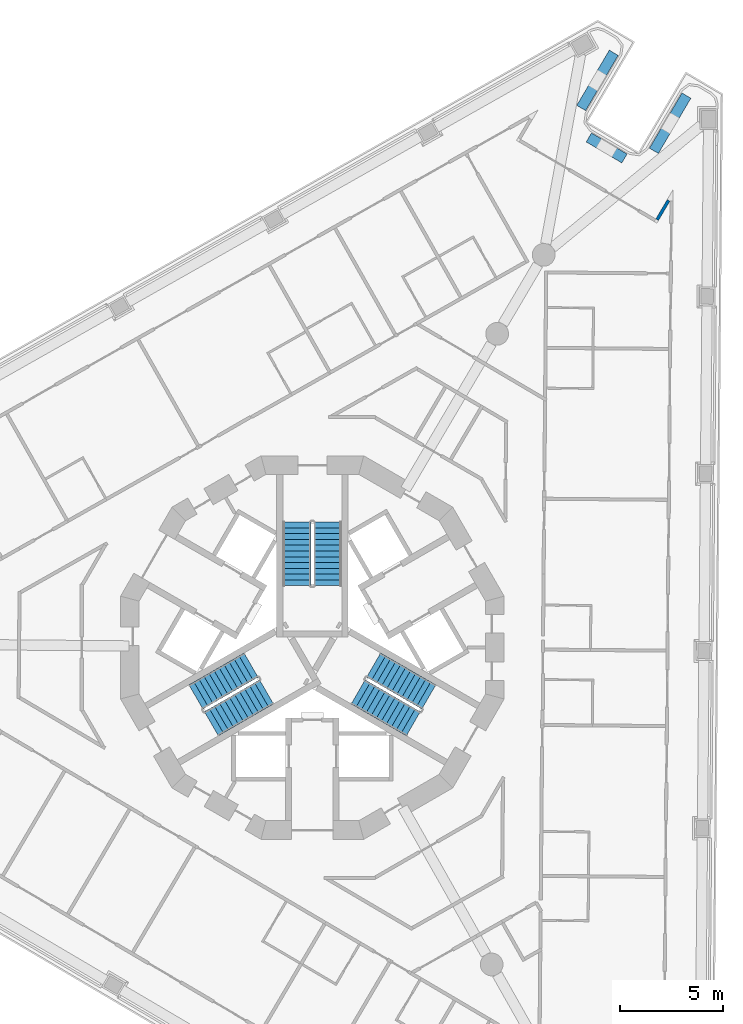
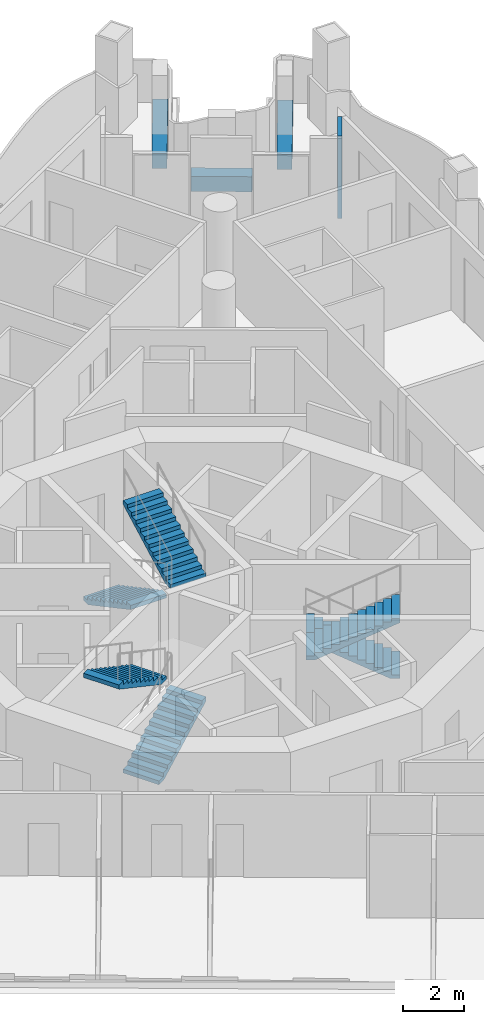
# One storey, part 10 of 17: 6 stair flights, 4 walls, 3 elements without a shape of their own.
"""IFC4 building model written with IfcOpenShell, lengths in metres."""

import ifcopenshell
import ifcopenshell.guid

model = None  # the IFC model being written
_history = None  # IfcOwnerHistory: only IFC2X3 demands one
_inside = {}  # id of a spatial element -> (the spatial element, [elements in it])
_under = {}  # id of a project, library or spatial element -> (it, [spatial elements below it])
_declared = {}  # id of a project -> (the project, [libraries it declares])
_typed = {}  # id of a type object -> (the type object, [elements of that type])
_made_of = {}  # id of a material, layer set ... -> (it, [elements and type objects made of it])


def new_model(schema):
    """Start an empty IFC model of exactly this schema.

    Asked for "IFC4X3", IfcOpenShell would pick the latest addendum, in which some entities
    have other attributes; the version numbers below select the first issue.
    IFC2X3 requires an IfcOwnerHistory on every rooted entity: one is made here for all.
    """
    global model, _history
    if schema == "IFC4X3":
        model = ifcopenshell.file(schema_version=(4, 3, 0, 0))
    else:
        model = ifcopenshell.file(schema=schema)
    _inside.clear()
    _under.clear()
    _declared.clear()
    _typed.clear()
    _made_of.clear()
    _history = None
    if model.schema == "IFC2X3":
        org = make("IfcOrganization", Name="unknown")
        user = make(
            "IfcPersonAndOrganization",
            ThePerson=make("IfcPerson", FamilyName="unknown"),
            TheOrganization=org,
        )
        app = make(
            "IfcApplication",
            ApplicationDeveloper=org,
            Version="unknown",
            ApplicationFullName="unknown",
            ApplicationIdentifier="unknown",
        )
        _history = make(
            "IfcOwnerHistory",
            OwningUser=user,
            OwningApplication=app,
            ChangeAction="ADDED",
            CreationDate=0,
        )
    return model


def make(cls, **values):
    """One entity of the class cls with the attributes given. An attribute that is None is left unset."""
    return model.create_entity(
        cls, **{name: value for name, value in values.items() if value is not None}
    )


def rooted(cls, **values):
    """An entity with a GlobalId (a new one), such as an element, a storey or a relation."""
    return make(cls, GlobalId=ifcopenshell.guid.new(), OwnerHistory=_history, **values)


def si_unit(unit_type, name, prefix=None):
    """IfcSIUnit, for example si_unit("LENGTHUNIT", "METRE", prefix="MILLI")."""
    return make("IfcSIUnit", UnitType=unit_type, Prefix=prefix, Name=name)


def assignment(units):
    """IfcUnitAssignment: the units of a project."""
    return None if units is None else make("IfcUnitAssignment", Units=units)


def point(xyz):
    """IfcCartesianPoint."""
    return None if xyz is None else make("IfcCartesianPoint", Coordinates=xyz)


def direction(xyz):
    """IfcDirection."""
    return None if xyz is None else make("IfcDirection", DirectionRatios=xyz)


def frame(location, z_axis=None, x_axis=None):
    """IfcAxis2Placement3D, a coordinate frame: its origin and axes. An axis left out is left unset."""
    return make(
        "IfcAxis2Placement3D",
        Location=point(location),
        Axis=direction(z_axis),
        RefDirection=direction(x_axis),
    )


def frame_2d(location, x_axis=None):
    """IfcAxis2Placement2D, a coordinate frame in the plane: its origin and x axis."""
    return make(
        "IfcAxis2Placement2D", Location=point(location), RefDirection=direction(x_axis)
    )


def origin():
    """The frame at (0, 0, 0) with its axes left unset."""
    return frame((0.0, 0.0, 0.0))


def place(relative_to, where):
    """IfcLocalPlacement: puts the frame where relative to a parent placement (None: the world)."""
    return make(
        "IfcLocalPlacement", PlacementRelTo=relative_to, RelativePlacement=where
    )


def context(
    kind, dimensions, precision=None, world=None, true_north=None, identifier=None
):
    """IfcGeometricRepresentationContext, for example the 3D "Model" context."""
    return make(
        "IfcGeometricRepresentationContext",
        ContextIdentifier=identifier,
        ContextType=kind,
        CoordinateSpaceDimension=dimensions,
        Precision=precision,
        WorldCoordinateSystem=world,
        TrueNorth=true_north,
    )


def subcontext(parent, identifier, kind, view, scale=None):
    """IfcGeometricRepresentationSubContext, for example "Body" below "Model"."""
    return make(
        "IfcGeometricRepresentationSubContext",
        ContextIdentifier=identifier,
        ContextType=kind,
        ParentContext=parent,
        TargetScale=scale,
        TargetView=view,
    )


def project(units=None, contexts=None):
    """IfcProject with its units and contexts."""
    return rooted(
        "IfcProject",
        Name="project",
        RepresentationContexts=contexts,
        UnitsInContext=assignment(units),
    )


def spatial(cls, under=None, at=None, **own):
    """A site, building, storey or space (cls), placed at a placement, below another one or the project."""
    s = rooted(cls, ObjectPlacement=at, **own)
    if under is not None:
        _under.setdefault(under.id(), (under, []))[1].append(s)
    return s


def polyline(points):
    """IfcPolyline through the points."""
    return make("IfcPolyline", Points=[point(p) for p in points])


def profile(cls, at=None, kind="AREA", **sizes):
    """A parametric profile (cls). Its sizes go by their IFC names, for example OverallWidth=200.0."""
    return make(cls, ProfileType=kind, Position=at, **sizes)


def rectangle(**sizes):
    """IfcRectangleProfileDef."""
    return profile("IfcRectangleProfileDef", **sizes)


def outline(outer, holes=None, kind="AREA"):
    """IfcArbitraryClosedProfileDef: a profile drawn as a closed curve; with holes, ...WithVoids."""
    if holes is None:
        return make("IfcArbitraryClosedProfileDef", ProfileType=kind, OuterCurve=outer)
    return make(
        "IfcArbitraryProfileDefWithVoids",
        ProfileType=kind,
        OuterCurve=outer,
        InnerCurves=holes,
    )


def extrude(swept, where, along, depth):
    """IfcExtrudedAreaSolid: the profile swept, set in the frame where, extruded along a direction by depth."""
    return make(
        "IfcExtrudedAreaSolid",
        SweptArea=swept,
        Position=where,
        ExtrudedDirection=direction(along),
        Depth=depth,
    )


def shape(context_of_items, identifier, shape_type, items):
    """IfcShapeRepresentation: the items that make up one representation, for example the "Body"."""
    return make(
        "IfcShapeRepresentation",
        ContextOfItems=context_of_items,
        RepresentationIdentifier=identifier,
        RepresentationType=shape_type,
        Items=items,
    )


def material(Name=None, Category=None):
    """IfcMaterial."""
    return make("IfcMaterial", Name=Name, Category=Category)


def layer(
    of_material, thickness, ventilated=None, Name=None, Category=None, Priority=None
):
    """IfcMaterialLayer: one layer of a wall or slab, of a material (None: an air gap)."""
    return make(
        "IfcMaterialLayer",
        Material=of_material,
        LayerThickness=thickness,
        IsVentilated=ventilated,
        Name=Name,
        Category=Category,
        Priority=Priority,
    )


def layer_set(layers, Name=None):
    """IfcMaterialLayerSet."""
    return make("IfcMaterialLayerSet", MaterialLayers=layers, LayerSetName=Name)


def made_of(thing, what):
    """Note that an element or type object is made of a material, layer set ...; save() writes the relation."""
    if what is not None:
        _made_of.setdefault(what.id(), (what, []))[1].append(thing)
    return thing


def type_object(cls, material=None, **own):
    """A type object (cls), such as IfcWallType, which elements share."""
    return made_of(rooted(cls, **own), material)


def element(
    cls,
    number,
    at=None,
    inside=None,
    cuts=None,
    type_object=None,
    material=None,
    context=None,
    identifier="Body",
    shape_type=None,
    held_by="IfcProductDefinitionShape",
    body=None,
    shapes=None,
    **own,
):
    """One element of the class cls, such as IfcWall. Its Tag is "e" and its number.

    at: its placement. inside: the storey or other place that contains it. cuts: it is an
    opening in that element (IfcRelVoidsElement). A single representation is given by context,
    identifier, shape_type and body (its items); several are given by shapes. held_by: the class
    of the entity that holds the representations. save() writes the other relations.
    """
    e = rooted(cls, Tag="e%d" % number, ObjectPlacement=at, **own)
    if body is not None:
        shapes = [shape(context, identifier, shape_type, body)]
    if shapes is not None:
        e.Representation = make(held_by, Representations=shapes)
    if inside is not None:
        _inside.setdefault(inside.id(), (inside, []))[1].append(e)
    if cuts is not None:
        rooted(
            "IfcRelVoidsElement", RelatingBuildingElement=cuts, RelatedOpeningElement=e
        )
    if type_object is not None:
        _typed.setdefault(type_object.id(), (type_object, []))[1].append(e)
    return made_of(e, material)


def aggregate(whole, parts):
    """IfcRelAggregates: a whole, such as a stair, and the parts it consists of."""
    return rooted("IfcRelAggregates", RelatingObject=whole, RelatedObjects=parts)


def save(model, path):
    """Write the relations noted so far, then the file.

    IfcRelAggregates (storeys below a building ...), IfcRelContainedInSpatialStructure (elements
    in a storey), IfcRelDefinesByType, IfcRelAssociatesMaterial and IfcRelDeclares: one each for
    every whole, place, type object, material and project.
    """
    for whole, parts in _under.values():
        aggregate(whole, parts)
    for where, things in _inside.values():
        rooted(
            "IfcRelContainedInSpatialStructure",
            RelatedElements=things,
            RelatingStructure=where,
        )
    for kind, things in _typed.values():
        rooted("IfcRelDefinesByType", RelatedObjects=things, RelatingType=kind)
    for what, things in _made_of.values():
        rooted("IfcRelAssociatesMaterial", RelatedObjects=things, RelatingMaterial=what)
    for by, libraries in _declared.values():
        rooted("IfcRelDeclares", RelatingContext=by, RelatedDefinitions=libraries)
    model.write(path)


model = new_model("IFC4")

# Units and contexts
model_context = context("Model", 3, precision=1e-05, world=origin(), true_north=direction((0.0, 1.0)))
body_context = subcontext(model_context, "Body", "Model", "MODEL_VIEW")
ifc_project = project(units=[si_unit("LENGTHUNIT", "METRE"), si_unit("AREAUNIT", "SQUARE_METRE"), si_unit("VOLUMEUNIT", "CUBIC_METRE"), si_unit("PLANEANGLEUNIT", "RADIAN"), si_unit("MASSUNIT", "GRAM", prefix="KILO")], contexts=[model_context])

# Site, building, storey
site_placement = place(None, origin())
site = spatial("IfcSite", under=ifc_project, at=site_placement, CompositionType="ELEMENT")
building_placement = place(site_placement, origin())
building = spatial("IfcBuilding", under=site, at=building_placement, Name="Trine Commons Tower", CompositionType="ELEMENT")
storey_placement = place(building_placement, frame((0.0, 0.0, 182.699951171875)))
storey = spatial("IfcBuildingStorey", under=building, at=storey_placement, Name="L47", CompositionType="ELEMENT", Elevation=182.699951171875)

# Walls
ifc_material_1 = material(Name="Aluminium-framed insulated wall panel", Category="aluminium")
ifc_layer_1 = layer(ifc_material_1, 0.14990234375)
ifc_layer_set_1 = layer_set([ifc_layer_1], Name="Aluminium-framed insulated wall panel")
wall_type_1 = type_object("IfcWallType", Name="Glazed frame wall 150, EI 60", PredefinedType="SOLIDWALL", material=ifc_layer_set_1)
wall_1_placement = place(storey_placement, frame((96.614990234375, 83.091552734375, 0.0), z_axis=(0.0, 0.0, 1.0), x_axis=(0.507511857062, 0.86164477306, 0.0)))
element("IfcWall", 1, at=wall_1_placement, inside=storey, type_object=wall_type_1, Name="Glazed frame wall R7", PredefinedType="SOLIDWALL", context=body_context, shape_type="SweptSolid", body=[
    extrude(outline(polyline([(0.110107421875, 0.074951171875), (0.110107421875, -0.074951171875), (1.19580078125, -0.074951171875), (1.19580078125, 0.074951171875), (0.110107421875, 0.074951171875)])), origin(), (0.0, 0.0, 1.0), 3.300048828125),
])
ifc_material_2 = material(Name="Planter trough, precast concrete C40/50", Category="concrete")
ifc_layer_2 = layer(ifc_material_2, 0.5)
ifc_layer_set_2 = layer_set([ifc_layer_2], Name="Planter trough, precast concrete C40/50")
wall_type_2 = type_object("IfcWallType", Name="Planter trough 500x600", PredefinedType="PARAPET", material=ifc_layer_set_2)
wall_2_placement = place(storey_placement, frame((94.572509765625, 91.25830078125, 0.0), z_axis=(0.0, 0.0, 1.0), x_axis=(-0.507587916184, -0.861599969443, 0.0)))
element("IfcWall", 2, at=wall_2_placement, inside=storey, type_object=wall_type_2, Name="Planter 4", PredefinedType="PARAPET", context=body_context, shape_type="SweptSolid", body=[
    extrude(rectangle(XDim=3.099853515625, YDim=0.5, at=frame_2d((1.5498046875, 0.0))), origin(), (0.0, 0.0, 1.0), 0.60009765625),
])
wall_3_placement = place(storey_placement, frame((93.3671875, 87.163330078125, 0.0), z_axis=(0.0, 0.0, 1.0), x_axis=(0.861632831324, -0.507532130988, 0.0)))
element("IfcWall", 3, at=wall_3_placement, inside=storey, type_object=wall_type_2, Name="Planter 5", PredefinedType="PARAPET", context=body_context, shape_type="SweptSolid", body=[
    extrude(rectangle(XDim=2.000244140625, YDim=0.5, at=frame_2d((1.0, 0.0))), origin(), (0.0, 0.0, 1.0), 0.60009765625),
])
wall_4_placement = place(storey_placement, frame((96.514404296875, 86.5166015625, 0.0), z_axis=(0.0, 0.0, 1.0), x_axis=(0.507587916184, 0.861599969443, 0.0)))
element("IfcWall", 4, at=wall_4_placement, inside=storey, type_object=wall_type_2, Name="Planter 6", PredefinedType="PARAPET", context=body_context, shape_type="SweptSolid", body=[
    extrude(rectangle(XDim=3.099853515625, YDim=0.5, at=frame_2d((1.5498046875, 0.0))), origin(), (0.0, 0.0, 1.0), 0.60009765625),
])

# Stair, stair flights
ifc_material_3 = material(Name="Concrete C50/60", Category="concrete")
stair_type = type_object("IfcStairType", Name="Exit stair, dog-leg, 24 risers of 150 mm", PredefinedType="HALF_TURN_STAIR", material=ifc_material_3)
stair_1_placement = place(storey_placement, origin())
stair_1 = element("IfcStair", 5, at=stair_1_placement, inside=storey, type_object=stair_type, Name="L47 Exit stair ST1B", PredefinedType="HALF_TURN_STAIR")
stair_flight_type = type_object("IfcStairFlightType", Name="Stair flight, 1350 wide, 12 risers of 150 mm", PredefinedType="STRAIGHT", material=ifc_material_3)
stair_flight_1_placement = place(storey_placement, frame((79.25, 68.570556640625, 0.0), z_axis=(0.0, 0.0, 1.0), x_axis=(0.0, -1.0, 0.0)))
stair_flight_1 = element("IfcStairFlight", 6, at=stair_flight_1_placement, type_object=stair_flight_type, Name="ST1B flight 1", NumberOfRisers=12, NumberOfTreads=11, PredefinedType="STRAIGHT", RiserHeight=0.15, TreadLength=0.28, context=body_context, shape_type="SweptSolid", body=[
    extrude(outline(polyline([(0.0, 0.0), (0.0, 0.14990234375), (0.280029296875, 0.14990234375), (0.280029296875, 0.300048828125), (0.56005859375, 0.300048828125), (0.56005859375, 0.449951171875), (0.840087890625, 0.449951171875), (0.840087890625, 0.60009765625), (1.1201171875, 0.60009765625), (1.1201171875, 0.75), (1.39990234375, 0.75), (1.39990234375, 0.89990234375), (1.679931640625, 0.89990234375), (1.679931640625, 1.050048828125), (1.9599609375, 1.050048828125), (1.9599609375, 1.199951171875), (2.239990234375, 1.199951171875), (2.239990234375, 1.35009765625), (2.52001953125, 1.35009765625), (2.52001953125, 1.5), (2.800048828125, 1.5), (2.800048828125, 1.64990234375), (3.080078125, 1.64990234375), (3.080078125, 1.800048828125), (3.080078125, 1.47998046875), (0.3173828125, 0.0), (0.0, 0.0)])), frame((0.0, 0.675048828125, 0.0), z_axis=(0.0, -1.0, 0.0), x_axis=(1.0, 0.0, 0.0)), (0.0, 0.0, 1.0), 1.35009765625),
])
stair_flight_2_placement = place(storey_placement, frame((80.75, 65.490478515625, 1.800048828125), z_axis=(0.0, 0.0, 1.0), x_axis=(0.0, 1.0, 0.0)))
stair_flight_2 = element("IfcStairFlight", 7, at=stair_flight_2_placement, type_object=stair_flight_type, Name="ST1B flight 2", NumberOfRisers=12, NumberOfTreads=11, PredefinedType="STRAIGHT", RiserHeight=0.15, TreadLength=0.28, context=body_context, shape_type="SweptSolid", body=[
    extrude(outline(polyline([(0.0, 0.0), (0.0, 0.14990234375), (0.280029296875, 0.14990234375), (0.280029296875, 0.300048828125), (0.56005859375, 0.300048828125), (0.56005859375, 0.449951171875), (0.840087890625, 0.449951171875), (0.840087890625, 0.60009765625), (1.1201171875, 0.60009765625), (1.1201171875, 0.75), (1.39990234375, 0.75), (1.39990234375, 0.89990234375), (1.679931640625, 0.89990234375), (1.679931640625, 1.050048828125), (1.9599609375, 1.050048828125), (1.9599609375, 1.199951171875), (2.239990234375, 1.199951171875), (2.239990234375, 1.35009765625), (2.52001953125, 1.35009765625), (2.52001953125, 1.5), (2.800048828125, 1.5), (2.800048828125, 1.64990234375), (3.080078125, 1.64990234375), (3.080078125, 1.800048828125), (3.080078125, 1.47998046875), (0.3173828125, 0.0), (0.0, 0.0)])), frame((0.0, 0.675048828125, 0.0), z_axis=(0.0, -1.0, 0.0), x_axis=(1.0, 0.0, 0.0)), (0.0, 0.0, 1.0), 1.35009765625),
])
aggregate(stair_1, [stair_flight_1, stair_flight_2])

stair_2_placement = place(storey_placement, origin())
stair_2 = element("IfcStair", 8, at=stair_2_placement, inside=storey, type_object=stair_type, Name="L47 Exit stair ST2B", PredefinedType="HALF_TURN_STAIR")
stair_flight_3_placement = place(storey_placement, frame((75.11767578125, 58.815185546875, 0.0), z_axis=(0.0, 0.0, 1.0), x_axis=(0.866025403784, 0.5, 0.0)))
stair_flight_3 = element("IfcStairFlight", 9, at=stair_flight_3_placement, type_object=stair_flight_type, Name="ST2B flight 1", NumberOfRisers=12, NumberOfTreads=11, PredefinedType="STRAIGHT", RiserHeight=0.15, TreadLength=0.28, context=body_context, shape_type="SweptSolid", body=[
    extrude(outline(polyline([(0.0, 0.0), (0.0, 0.14990234375), (0.280029296875, 0.14990234375), (0.280029296875, 0.300048828125), (0.56005859375, 0.300048828125), (0.56005859375, 0.449951171875), (0.840087890625, 0.449951171875), (0.840087890625, 0.60009765625), (1.1201171875, 0.60009765625), (1.1201171875, 0.75), (1.39990234375, 0.75), (1.39990234375, 0.89990234375), (1.679931640625, 0.89990234375), (1.679931640625, 1.050048828125), (1.9599609375, 1.050048828125), (1.9599609375, 1.199951171875), (2.239990234375, 1.199951171875), (2.239990234375, 1.35009765625), (2.52001953125, 1.35009765625), (2.52001953125, 1.5), (2.800048828125, 1.5), (2.800048828125, 1.64990234375), (3.080078125, 1.64990234375), (3.080078125, 1.800048828125), (3.080078125, 1.47998046875), (0.3173828125, 0.0), (0.0, 0.0)])), frame((0.0, 0.675048828125, 0.0), z_axis=(0.0, -1.0, 0.0), x_axis=(1.0, 0.0, 0.0)), (0.0, 0.0, 1.0), 1.35009765625),
])
stair_flight_4_placement = place(storey_placement, frame((77.03515625, 61.654296875, 1.800048828125), z_axis=(0.0, 0.0, 1.0), x_axis=(-0.866025403784, -0.5, 0.0)))
stair_flight_4 = element("IfcStairFlight", 10, at=stair_flight_4_placement, type_object=stair_flight_type, Name="ST2B flight 2", NumberOfRisers=12, NumberOfTreads=11, PredefinedType="STRAIGHT", RiserHeight=0.15, TreadLength=0.28, context=body_context, shape_type="SweptSolid", body=[
    extrude(outline(polyline([(0.0, 0.0), (0.0, 0.14990234375), (0.280029296875, 0.14990234375), (0.280029296875, 0.300048828125), (0.56005859375, 0.300048828125), (0.56005859375, 0.449951171875), (0.840087890625, 0.449951171875), (0.840087890625, 0.60009765625), (1.1201171875, 0.60009765625), (1.1201171875, 0.75), (1.39990234375, 0.75), (1.39990234375, 0.89990234375), (1.679931640625, 0.89990234375), (1.679931640625, 1.050048828125), (1.9599609375, 1.050048828125), (1.9599609375, 1.199951171875), (2.239990234375, 1.199951171875), (2.239990234375, 1.35009765625), (2.52001953125, 1.35009765625), (2.52001953125, 1.5), (2.800048828125, 1.5), (2.800048828125, 1.64990234375), (3.080078125, 1.64990234375), (3.080078125, 1.800048828125), (3.080078125, 1.47998046875), (0.3173828125, 0.0), (0.0, 0.0)])), frame((0.0, 0.675048828125, 0.0), z_axis=(0.0, -1.0, 0.0), x_axis=(1.0, 0.0, 0.0)), (0.0, 0.0, 1.0), 1.35009765625),
])
aggregate(stair_2, [stair_flight_3, stair_flight_4])

stair_3_placement = place(storey_placement, origin())
stair_3 = element("IfcStair", 11, at=stair_3_placement, inside=storey, type_object=stair_type, Name="L47 Exit stair ST3B", PredefinedType="HALF_TURN_STAIR")
stair_flight_5_placement = place(storey_placement, frame((85.63232421875, 60.1142578125, 0.0), z_axis=(0.0, 0.0, 1.0), x_axis=(-0.866025403784, 0.5, 0.0)))
stair_flight_5 = element("IfcStairFlight", 12, at=stair_flight_5_placement, type_object=stair_flight_type, Name="ST3B flight 1", NumberOfRisers=12, NumberOfTreads=11, PredefinedType="STRAIGHT", RiserHeight=0.15, TreadLength=0.28, context=body_context, shape_type="SweptSolid", body=[
    extrude(outline(polyline([(0.0, 0.0), (0.0, 0.14990234375), (0.280029296875, 0.14990234375), (0.280029296875, 0.300048828125), (0.56005859375, 0.300048828125), (0.56005859375, 0.449951171875), (0.840087890625, 0.449951171875), (0.840087890625, 0.60009765625), (1.1201171875, 0.60009765625), (1.1201171875, 0.75), (1.39990234375, 0.75), (1.39990234375, 0.89990234375), (1.679931640625, 0.89990234375), (1.679931640625, 1.050048828125), (1.9599609375, 1.050048828125), (1.9599609375, 1.199951171875), (2.239990234375, 1.199951171875), (2.239990234375, 1.35009765625), (2.52001953125, 1.35009765625), (2.52001953125, 1.5), (2.800048828125, 1.5), (2.800048828125, 1.64990234375), (3.080078125, 1.64990234375), (3.080078125, 1.800048828125), (3.080078125, 1.47998046875), (0.3173828125, 0.0), (0.0, 0.0)])), frame((0.0, 0.675048828125, 0.0), z_axis=(0.0, -1.0, 0.0), x_axis=(1.0, 0.0, 0.0)), (0.0, 0.0, 1.0), 1.35009765625),
])
stair_flight_6_placement = place(storey_placement, frame((82.21484375, 60.355224609375, 1.800048828125), z_axis=(0.0, 0.0, 1.0), x_axis=(0.866025403784, -0.5, 0.0)))
stair_flight_6 = element("IfcStairFlight", 13, at=stair_flight_6_placement, type_object=stair_flight_type, Name="ST3B flight 2", NumberOfRisers=12, NumberOfTreads=11, PredefinedType="STRAIGHT", RiserHeight=0.15, TreadLength=0.28, context=body_context, shape_type="SweptSolid", body=[
    extrude(outline(polyline([(0.0, 0.0), (0.0, 0.14990234375), (0.280029296875, 0.14990234375), (0.280029296875, 0.300048828125), (0.56005859375, 0.300048828125), (0.56005859375, 0.449951171875), (0.840087890625, 0.449951171875), (0.840087890625, 0.60009765625), (1.1201171875, 0.60009765625), (1.1201171875, 0.75), (1.39990234375, 0.75), (1.39990234375, 0.89990234375), (1.679931640625, 0.89990234375), (1.679931640625, 1.050048828125), (1.9599609375, 1.050048828125), (1.9599609375, 1.199951171875), (2.239990234375, 1.199951171875), (2.239990234375, 1.35009765625), (2.52001953125, 1.35009765625), (2.52001953125, 1.5), (2.800048828125, 1.5), (2.800048828125, 1.64990234375), (3.080078125, 1.64990234375), (3.080078125, 1.800048828125), (3.080078125, 1.47998046875), (0.3173828125, 0.0), (0.0, 0.0)])), frame((0.0, 0.675048828125, 0.0), z_axis=(0.0, -1.0, 0.0), x_axis=(1.0, 0.0, 0.0)), (0.0, 0.0, 1.0), 1.35009765625),
])
aggregate(stair_3, [stair_flight_5, stair_flight_6])

save(model, "model.ifc")
